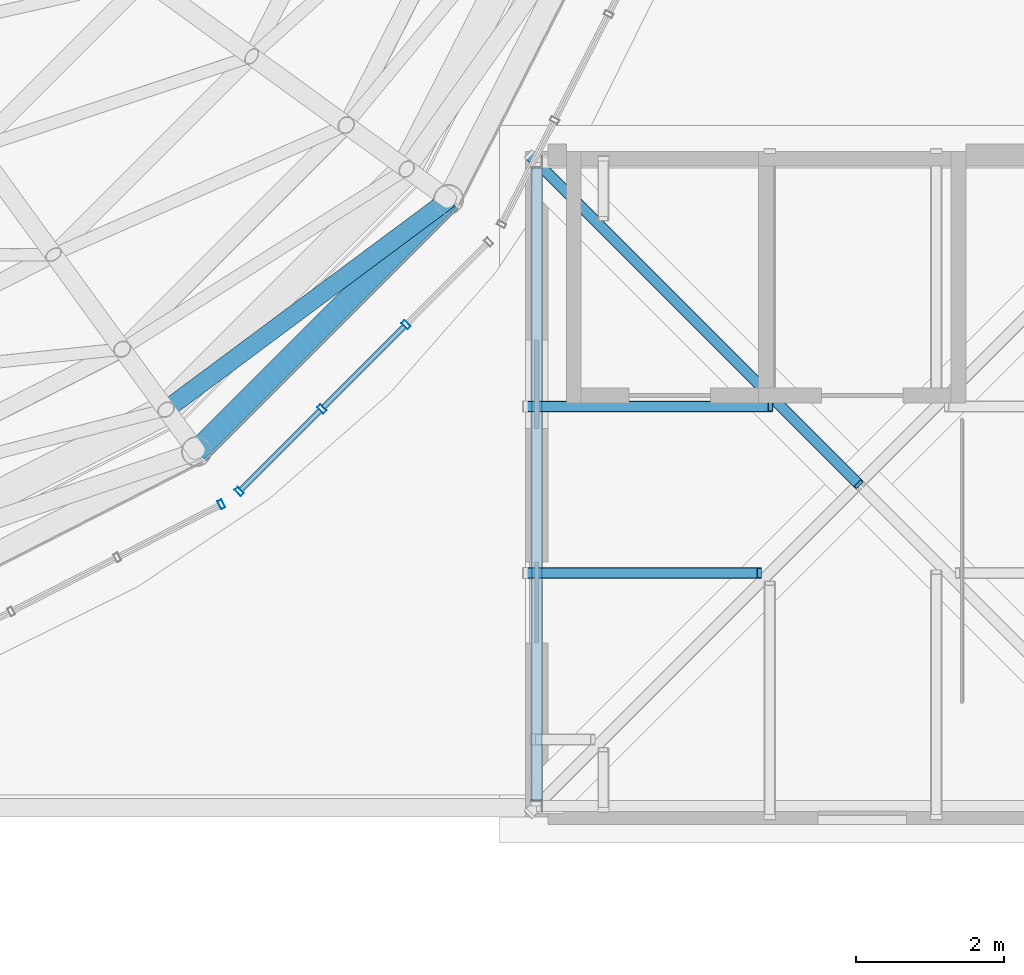
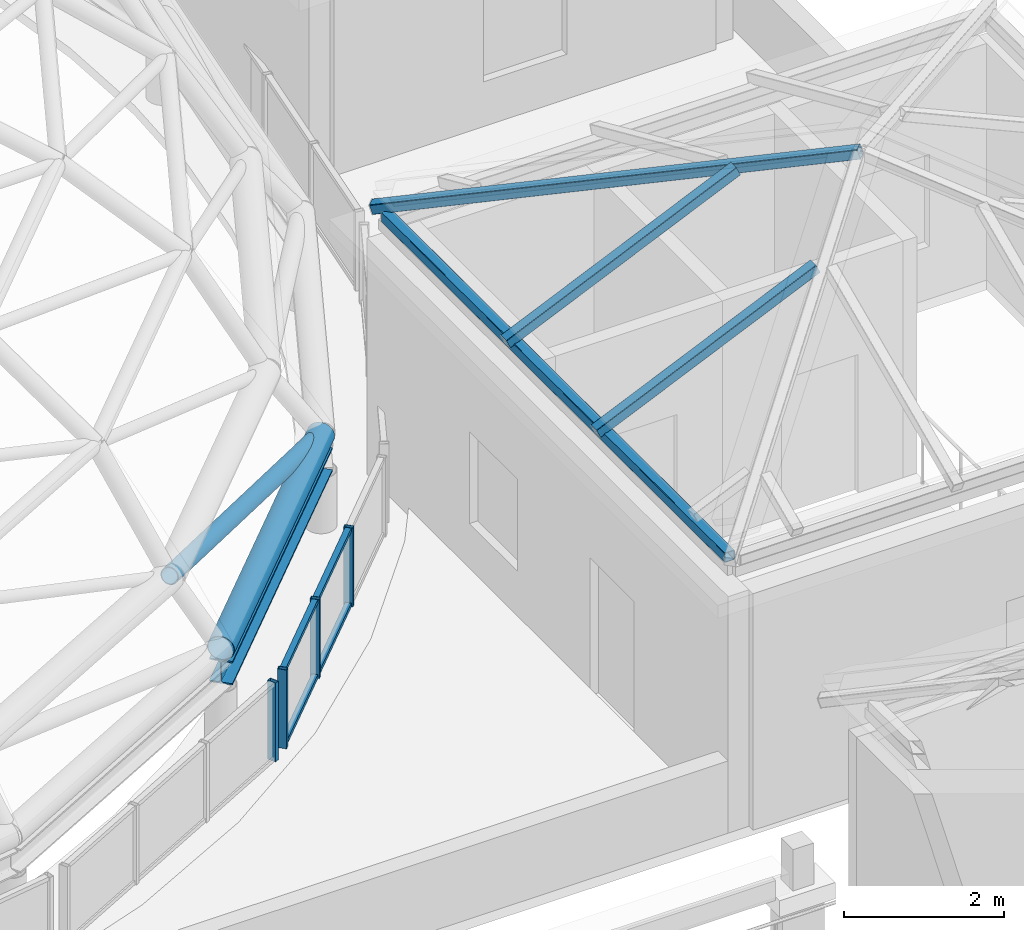
# One storey, part 28 of 69: 14 members, 1 beam, 2 elements without a shape of their own.
"""IFC4 building model written with IfcOpenShell, lengths in metres."""

from ifc_helpers import new_model, si_unit, direction, frame, origin, origin_2d, place, context, subcontext, project, spatial, hollow_rectangle, hollow_circle, i_section, extrude, material, layer, layer_set, material_profile, profile_set, type_object, element, aggregate, save


model = new_model("IFC4")

# Units and contexts
model_context = context("Model", 3, precision=1e-05, world=origin(), true_north=direction((0.0, 1.0)))
body_context = subcontext(model_context, "Body", "Model", "MODEL_VIEW")
ifc_project = project(units=[si_unit("LENGTHUNIT", "METRE"), si_unit("AREAUNIT", "SQUARE_METRE"), si_unit("VOLUMEUNIT", "CUBIC_METRE"), si_unit("PLANEANGLEUNIT", "RADIAN"), si_unit("MASSUNIT", "GRAM", prefix="KILO")], contexts=[model_context])

# Site, building, storey
site_placement = place(None, origin())
site = spatial("IfcSite", under=ifc_project, at=site_placement, CompositionType="ELEMENT")
building_placement = place(site_placement, origin())
building = spatial("IfcBuilding", under=site, at=building_placement, Name="Kallimachos Central Library", CompositionType="ELEMENT")
storey_placement = place(building_placement, frame((0.0, 0.0, 23.39990234375)))
storey = spatial("IfcBuildingStorey", under=building, at=storey_placement, Name="L05", CompositionType="ELEMENT", Elevation=23.39990234375)

# Members
ifc_material_1 = material(Name="Steel S355J2H", Category="steel")
ifc_material_profile_1 = material_profile(ifc_material_1, hollow_circle(Radius=0.122314453125, WallThickness=0.012451171875, at=origin_2d()), Name="CHS 244.5x12.5")
ifc_profile_set_1 = profile_set([ifc_material_profile_1], Name="Steel S355J2H")
member_type_1 = type_object("IfcMemberType", Name="CHS 244.5x12.5 dome diagonal", PredefinedType="BRACE", material=ifc_profile_set_1)
member_1_placement = place(storey_placement, frame((96.640380859375, 92.507568359375, 2.27783203125), z_axis=(0.788362711939, 0.586483385768, -0.18579954963), x_axis=(-0.596876395099, 0.80233320321, 0.0)))
element("IfcMember", 1, at=member_1_placement, inside=storey, type_object=member_type_1, Name="Dome diagonal DD-7-17", PredefinedType="BRACE", context=body_context, shape_type="SweptSolid", body=[
    extrude(hollow_circle(Radius=0.122314453125, WallThickness=0.012451171875, at=origin_2d()), origin(), (0.0, 0.0, 1.0), 4.843505859375),
])
ifc_material_2 = material(Name="Steel S355J2H", Category="steel")
ifc_material_profile_2 = material_profile(ifc_material_2, hollow_circle(Radius=0.177734375, WallThickness=0.008056640625, at=origin_2d()), Name="CHS 355.6x8")
ifc_profile_set_2 = profile_set([ifc_material_profile_2], Name="Steel S355J2H")
member_type_2 = type_object("IfcMemberType", Name="CHS 355.6x8 dome ring", PredefinedType="PURLIN", material=ifc_profile_set_2)
member_2_placement = place(storey_placement, frame((97.052001953125, 91.941162109375, 1.3779296875), z_axis=(0.707081444577, 0.707132116889, 0.0), x_axis=(-0.707132116889, 0.707081444577, 0.0)))
element("IfcMember", 2, at=member_2_placement, inside=storey, type_object=member_type_2, Name="Dome ring DN-8-17", PredefinedType="PURLIN", context=body_context, shape_type="SweptSolid", body=[
    extrude(hollow_circle(Radius=0.177734375, WallThickness=0.008056640625, at=origin_2d()), origin(), (0.0, 0.0, 1.0), 4.818115234375),
])

# Curtain wall, member
ifc_material_3 = material(Name="Anodised aluminium and laminated glass", Category="aluminium")
ifc_layer = layer(ifc_material_3, 0.159912109375)
ifc_layer_set = layer_set([ifc_layer], Name="Glass box curtain wall")
curtain_wall_type = type_object("IfcCurtainWallType", Name="Glass box curtain wall", PredefinedType="NOTDEFINED", material=ifc_layer_set)
curtain_wall_1_placement = place(storey_placement, origin())
curtain_wall_1 = element("IfcCurtainWall", 3, at=curtain_wall_1_placement, inside=storey, type_object=curtain_wall_type, Name="Drum clerestory facet 17", PredefinedType="NOTDEFINED")
ifc_material_4 = material(Name="Anodised aluminium", Category="aluminium")
ifc_material_profile_3 = material_profile(ifc_material_4, hollow_rectangle(XDim=0.06005859375, YDim=0.1201171875, WallThickness=0.00390625, at=origin_2d()), Name="ALU MULLION 60x120")
ifc_profile_set_3 = profile_set([ifc_material_profile_3], Name="Anodised aluminium")
member_type_3 = type_object("IfcMemberType", Name="Glass box mullion 60x120", PredefinedType="MULLION", material=ifc_profile_set_3)
member_3_placement = place(storey_placement, frame((97.38818359375, 91.226318359375, 0.0), z_axis=(0.0, 0.0, 1.0), x_axis=(0.891006369337, 0.453990803653, 0.0)))
member_3 = element("IfcMember", 4, at=member_3_placement, type_object=member_type_3, Name="CW51 mullion 4", PredefinedType="MULLION", context=body_context, shape_type="SweptSolid", body=[
    extrude(hollow_rectangle(XDim=0.06005859375, YDim=0.1201171875, WallThickness=0.00390625, at=origin_2d()), origin(), (0.0, 0.0, 1.0), 1.2001953125),
])
aggregate(curtain_wall_1, [member_3])

# Curtain wall, members
curtain_wall_2_placement = place(storey_placement, origin())
curtain_wall_2 = element("IfcCurtainWall", 5, at=curtain_wall_2_placement, inside=storey, type_object=curtain_wall_type, Name="Drum clerestory facet 18", PredefinedType="NOTDEFINED")
member_4_placement = place(storey_placement, frame((97.6279296875, 91.400390625, 0.0), z_axis=(0.0, 0.0, 1.0), x_axis=(0.707106781187, 0.707106781187, 0.0)))
member_4 = element("IfcMember", 6, at=member_4_placement, type_object=member_type_3, Name="CW52 mullion 1", PredefinedType="MULLION", context=body_context, shape_type="SweptSolid", body=[
    extrude(hollow_rectangle(XDim=0.06005859375, YDim=0.1201171875, WallThickness=0.00390625, at=origin_2d()), origin(), (0.0, 0.0, 1.0), 1.2001953125),
])
member_5_placement = place(storey_placement, frame((98.74462890625, 92.517333984375, 0.0), z_axis=(0.0, 0.0, 1.0), x_axis=(0.707106781187, 0.707106781187, 0.0)))
member_5 = element("IfcMember", 7, at=member_5_placement, type_object=member_type_3, Name="CW52 mullion 2", PredefinedType="MULLION", context=body_context, shape_type="SweptSolid", body=[
    extrude(hollow_rectangle(XDim=0.06005859375, YDim=0.1201171875, WallThickness=0.00390625, at=origin_2d()), origin(), (0.0, 0.0, 1.0), 1.2001953125),
])
member_6_placement = place(storey_placement, frame((99.8828125, 93.6552734375, 0.0), z_axis=(0.0, 0.0, 1.0), x_axis=(0.707106781187, 0.707106781187, 0.0)))
member_6 = element("IfcMember", 8, at=member_6_placement, type_object=member_type_3, Name="CW52 mullion 3", PredefinedType="MULLION", context=body_context, shape_type="SweptSolid", body=[
    extrude(hollow_rectangle(XDim=0.06005859375, YDim=0.1201171875, WallThickness=0.00390625, at=origin_2d()), origin(), (0.0, 0.0, 1.0), 1.2001953125),
])
ifc_material_5 = material(Name="Anodised aluminium", Category="aluminium")
ifc_material_profile_4 = material_profile(ifc_material_5, hollow_rectangle(XDim=0.06005859375, YDim=0.080078125, WallThickness=0.00390625, at=origin_2d()), Name="ALU TRANSOM 60x80")
ifc_profile_set_4 = profile_set([ifc_material_profile_4], Name="Anodised aluminium")
member_type_4 = type_object("IfcMemberType", Name="Glass box transom 60x80", PredefinedType="USERDEFINED", material=ifc_profile_set_4)
member_7_placement = place(storey_placement, frame((97.649169921875, 91.421630859375, 0.030029296875), z_axis=(0.707026432709, 0.707187120535, 0.0), x_axis=(0.0, 0.0, 1.0)))
member_7 = element("IfcMember", 9, at=member_7_placement, type_object=member_type_4, Name="CW52 transom 1.1", ObjectType="TRANSOM", PredefinedType="USERDEFINED", context=body_context, shape_type="SweptSolid", body=[
    extrude(hollow_rectangle(XDim=0.06005859375, YDim=0.080078125, WallThickness=0.00390625, at=origin_2d()), origin(), (0.0, 0.0, 1.0), 1.519287109375),
])
member_8_placement = place(storey_placement, frame((97.649169921875, 91.421630859375, 1.170166015625), z_axis=(0.707026432709, 0.707187120535, 0.0), x_axis=(0.0, 0.0, 1.0)))
member_8 = element("IfcMember", 10, at=member_8_placement, type_object=member_type_4, Name="CW52 transom 1.2", ObjectType="TRANSOM", PredefinedType="USERDEFINED", context=body_context, shape_type="SweptSolid", body=[
    extrude(hollow_rectangle(XDim=0.06005859375, YDim=0.080078125, WallThickness=0.00390625, at=origin_2d()), origin(), (0.0, 0.0, 1.0), 1.519287109375),
])
member_9_placement = place(storey_placement, frame((98.765869140625, 92.53857421875, 0.030029296875), z_axis=(0.707185563068, 0.707027990527, 0.0), x_axis=(0.0, 0.0, 1.0)))
member_9 = element("IfcMember", 11, at=member_9_placement, type_object=member_type_4, Name="CW52 transom 2.1", ObjectType="TRANSOM", PredefinedType="USERDEFINED", context=body_context, shape_type="SweptSolid", body=[
    extrude(hollow_rectangle(XDim=0.06005859375, YDim=0.080078125, WallThickness=0.00390625, at=origin_2d()), origin(), (0.0, 0.0, 1.0), 1.54931640625),
])
member_10_placement = place(storey_placement, frame((98.765869140625, 92.53857421875, 1.170166015625), z_axis=(0.707185563068, 0.707027990527, 0.0), x_axis=(0.0, 0.0, 1.0)))
member_10 = element("IfcMember", 12, at=member_10_placement, type_object=member_type_4, Name="CW52 transom 2.2", ObjectType="TRANSOM", PredefinedType="USERDEFINED", context=body_context, shape_type="SweptSolid", body=[
    extrude(hollow_rectangle(XDim=0.06005859375, YDim=0.080078125, WallThickness=0.00390625, at=origin_2d()), origin(), (0.0, 0.0, 1.0), 1.54931640625),
])
aggregate(curtain_wall_2, [member_4, member_5, member_6, member_7, member_8, member_9, member_10])

# Beam
ifc_material_6 = material(Name="Steel S355J2", Category="steel")
ifc_material_profile_5 = material_profile(ifc_material_6, i_section(OverallWidth=0.300048828125, OverallDepth=0.360107421875, WebThickness=0.012451171875, FlangeThickness=0.0224609375, FilletRadius=0.027099609375, at=origin_2d()), Name="HEB 360")
ifc_profile_set_5 = profile_set([ifc_material_profile_5], Name="Steel S355J2")
beam_type = type_object("IfcBeamType", Name="HEB 360 beam", PredefinedType="BEAM", material=ifc_profile_set_5)
beam_placement = place(storey_placement, frame((97.052001953125, 91.941162109375, 1.02001953125), z_axis=(0.707106781187, 0.707106781187, 0.0), x_axis=(-0.707106781187, 0.707106781187, 0.0)))
element("IfcBeam", 13, at=beam_placement, inside=storey, type_object=beam_type, Name="V1-BEM-L05-018", PredefinedType="BEAM", context=body_context, shape_type="SweptSolid", body=[
    extrude(i_section(OverallWidth=0.300048828125, OverallDepth=0.360107421875, WebThickness=0.012451171875, FlangeThickness=0.0224609375, FilletRadius=0.027099609375, at=origin_2d()), origin(), (0.0, 0.0, 1.0), 4.818115234375),
])

# Members
ifc_material_7 = material(Name="Steel S355J2H", Category="steel")
ifc_material_profile_6 = material_profile(ifc_material_7, hollow_rectangle(XDim=0.14990234375, YDim=0.14990234375, WallThickness=0.010009765625, InnerFilletRadius=0.010009765625, OuterFilletRadius=0.014892578125, at=origin_2d()), Name="SHS 150x150x10")
ifc_profile_set_6 = profile_set([ifc_material_profile_6], Name="Steel S355J2H")
member_type_5 = type_object("IfcMemberType", Name="SHS 150x150x10 eaves bearer", PredefinedType="STRINGER", material=ifc_profile_set_6)
member_11_placement = place(storey_placement, frame((101.64990234375, 87.22509765625, 4.025146484375), z_axis=(0.0, 1.0, 0.0), x_axis=(-1.0, 0.0, 0.0)))
element("IfcMember", 14, at=member_11_placement, inside=storey, type_object=member_type_5, Name="Head-house roof V1-SE eaves bearer W", PredefinedType="STRINGER", context=body_context, shape_type="SweptSolid", body=[
    extrude(hollow_rectangle(XDim=0.14990234375, YDim=0.14990234375, WallThickness=0.010009765625, InnerFilletRadius=0.010009765625, OuterFilletRadius=0.014892578125, at=origin_2d()), origin(), (0.0, 0.0, 1.0), 8.5498046875),
])
ifc_material_8 = material(Name="Steel S355J2H", Category="steel")
ifc_material_profile_7 = material_profile(ifc_material_8, hollow_rectangle(XDim=0.14990234375, YDim=0.14990234375, WallThickness=0.010009765625, InnerFilletRadius=0.010009765625, OuterFilletRadius=0.014892578125, at=origin_2d()), Name="SHS 150x150x10")
ifc_profile_set_7 = profile_set([ifc_material_profile_7], Name="Steel S355J2H")
member_type_6 = type_object("IfcMemberType", Name="SHS 150x150x10 rafter", PredefinedType="RAFTER", material=ifc_profile_set_7)
member_12_placement = place(storey_placement, frame((101.5, 90.300048828125, 4.115478515625), z_axis=(0.913561058639, 0.0, 0.406701600856), x_axis=(0.0, 1.0, 0.0)))
element("IfcMember", 15, at=member_12_placement, inside=storey, type_object=member_type_6, Name="Head-house roof V1-SE rafter", PredefinedType="RAFTER", context=body_context, shape_type="SweptSolid", body=[
    extrude(hollow_rectangle(XDim=0.14990234375, YDim=0.14990234375, WallThickness=0.010009765625, InnerFilletRadius=0.010009765625, OuterFilletRadius=0.014892578125, at=origin_2d()), origin(), (0.0, 0.0, 1.0), 3.458984375),
])
member_13_placement = place(storey_placement, frame((101.5, 92.550048828125, 4.115478515625), z_axis=(0.913555735439, 0.0, 0.406713557981), x_axis=(0.0, 1.0, 0.0)))
element("IfcMember", 16, at=member_13_placement, inside=storey, type_object=member_type_6, Name="Head-house roof V1-SE rafter", PredefinedType="RAFTER", context=body_context, shape_type="SweptSolid", body=[
    extrude(hollow_rectangle(XDim=0.14990234375, YDim=0.14990234375, WallThickness=0.010009765625, InnerFilletRadius=0.010009765625, OuterFilletRadius=0.014892578125, at=origin_2d()), origin(), (0.0, 0.0, 1.0), 3.623291015625),
])
ifc_material_9 = material(Name="Steel S355J2H", Category="steel")
ifc_material_profile_8 = material_profile(ifc_material_9, hollow_rectangle(XDim=0.14990234375, YDim=0.14990234375, WallThickness=0.010009765625, InnerFilletRadius=0.010009765625, OuterFilletRadius=0.014892578125, at=origin_2d()), Name="SHS 150x150x10")
ifc_profile_set_8 = profile_set([ifc_material_profile_8], Name="Steel S355J2H")
member_type_7 = type_object("IfcMemberType", Name="SHS 200x200x10 hip rafter", PredefinedType="RAFTER", material=ifc_profile_set_8)
member_14_placement = place(storey_placement, frame((101.550048828125, 95.949951171875, 4.08740234375), z_axis=(0.674472829332, -0.674472829332, 0.300287870194), x_axis=(0.707106781187, 0.707106781187, 0.0)))
element("IfcMember", 17, at=member_14_placement, inside=storey, type_object=member_type_7, Name="Head-house roof V1-SE hip", PredefinedType="RAFTER", context=body_context, shape_type="SweptSolid", body=[
    extrude(hollow_rectangle(XDim=0.14990234375, YDim=0.14990234375, WallThickness=0.010009765625, InnerFilletRadius=0.010009765625, OuterFilletRadius=0.014892578125, at=origin_2d()), origin(), (0.0, 0.0, 1.0), 6.59765625),
])

save(model, "model.ifc")
